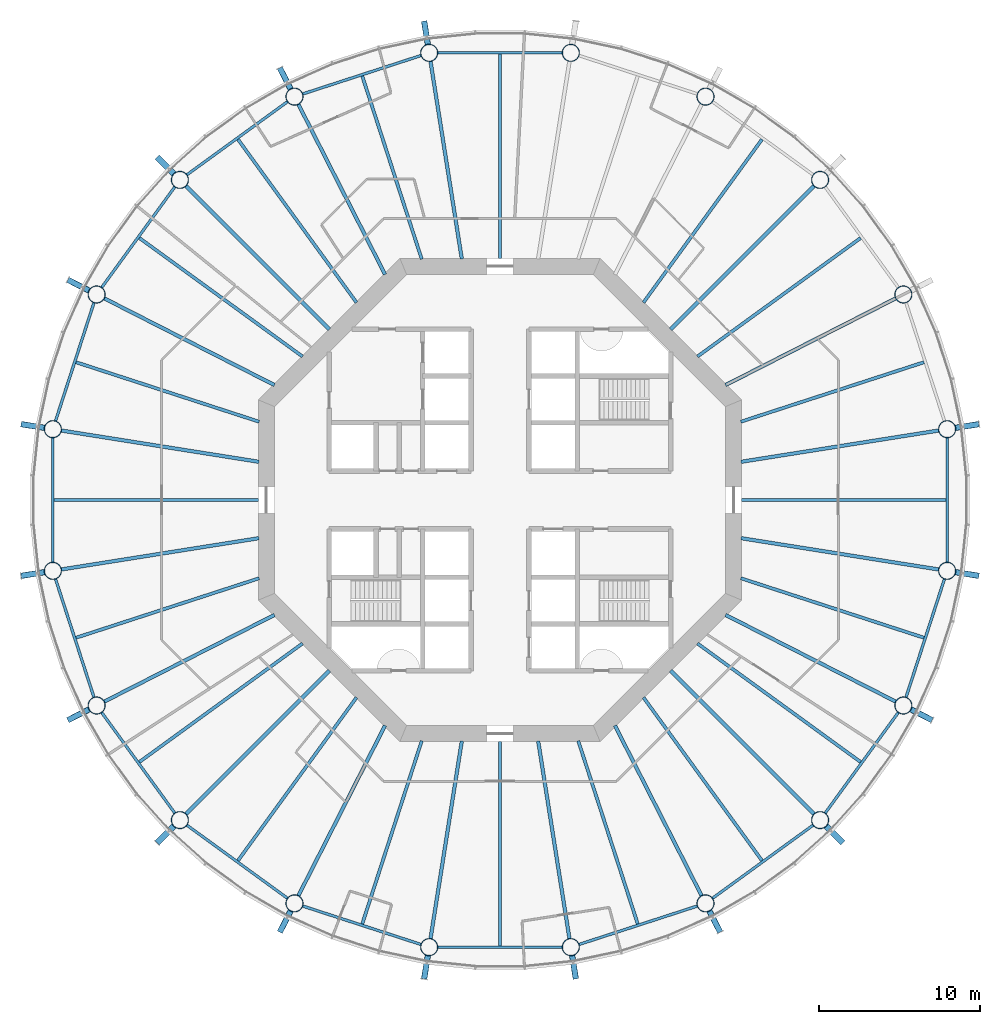
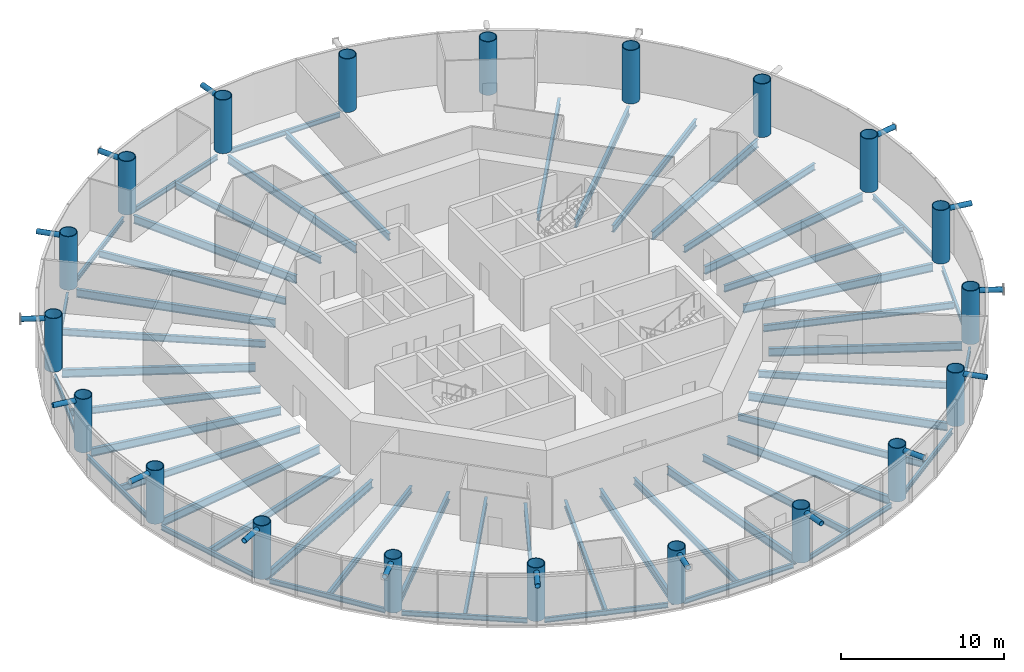
# One storey, part 1 of 17: 53 beams, 20 columns, 16 members.
"""IFC4 building model written with IfcOpenShell, lengths in metres."""

from ifc_helpers import new_model, si_unit, direction, frame, origin, origin_2d, place, context, subcontext, project, spatial, circle, hollow_circle, i_section, extrude, material, material_profile, profile_set, type_object, element, save


model = new_model("IFC4")

# Units and contexts
model_context = context("Model", 3, precision=1e-05, world=origin(), true_north=direction((0.0, 1.0)))
body_context = subcontext(model_context, "Body", "Model", "MODEL_VIEW")
ifc_project = project(units=[si_unit("LENGTHUNIT", "METRE"), si_unit("AREAUNIT", "SQUARE_METRE"), si_unit("VOLUMEUNIT", "CUBIC_METRE"), si_unit("PLANEANGLEUNIT", "RADIAN"), si_unit("MASSUNIT", "GRAM", prefix="KILO")], contexts=[model_context])

# Site, building, storey
site_placement = place(None, origin())
site = spatial("IfcSite", under=ifc_project, at=site_placement, CompositionType="ELEMENT")
building_placement = place(site_placement, origin())
building = spatial("IfcBuilding", under=site, at=building_placement, Name="Entoto Ring Tower", CompositionType="ELEMENT")
storey_placement = place(building_placement, frame((0.0, 0.0, 160.0)))
storey = spatial("IfcBuildingStorey", under=building, at=storey_placement, Name="L36", CompositionType="ELEMENT", Elevation=160.0)

# Columns
ifc_material_1 = material(Name="Steel S355", Category="steel")
ifc_material_profile_1 = material_profile(ifc_material_1, hollow_circle(Radius=0.550048828125, WallThickness=0.050048828125, at=origin_2d()), Name="CHS 1100 x 50")
ifc_material_2 = material(Name="Concrete C60/75", Category="concrete")
ifc_material_profile_2 = material_profile(ifc_material_2, circle(Radius=0.5, at=origin_2d()), Name="Concrete C60/75 infill")
ifc_profile_set_1 = profile_set([ifc_material_profile_1, ifc_material_profile_2], Name="Steel S355")
column_type = type_object("IfcColumnType", Name="Ring column 1100 x 50 concrete-filled tube", PredefinedType="COLUMN", material=ifc_profile_set_1)
for number, where, z_axis, x_axis, name in (
    (1, (117.754150390625, 84.395751953125, 0.0), (0.0, 0.0, 1.0), (1.0, 0.0, 0.0), "RC3 R01"),
    (2, (115.037353515625, 92.757080078125, 0.0), (0.0, 0.0, 1.0), (1.0, 0.0, 0.0), "RC3 R02"),
    (3, (109.86962890625, 99.86962890625, 0.0), (0.0, 0.0, 1.0), (1.0, 0.0, 0.0), "RC3 R03"),
    (4, (102.757080078125, 105.037353515625, 0.0), (0.0, 0.0, 1.0), (1.0, 0.0, 0.0), "RC3 R04"),
    (5, (94.395751953125, 107.754150390625, 0.0), (0.0, 0.0, 1.0), (1.0, 0.0, 0.0), "RC3 R05"),
    (6, (85.604248046875, 107.754150390625, 0.0), (0.0, 0.0, 1.0), (1.0, 0.0, 0.0), "RC3 R06"),
    (7, (77.242919921875, 105.037353515625, 0.0), (0.0, 0.0, 1.0), (1.0, 0.0, 0.0), "RC3 R07"),
    (8, (70.13037109375, 99.86962890625, 0.0), (0.0, 0.0, 1.0), (1.0, 0.0, 0.0), "RC3 R08"),
    (9, (64.962646484375, 92.757080078125, 0.0), (0.0, 0.0, 1.0), (1.0, 0.0, 0.0), "RC3 R09"),
    (10, (62.245849609375, 84.395751953125, 0.0), (0.0, 0.0, 1.0), (1.0, 0.0, 0.0), "RC3 R10"),
    (11, (62.245849609375, 75.604248046875, 0.0), (0.0, 0.0, 1.0), (1.0, 0.0, 0.0), "RC3 R11"),
    (12, (64.962646484375, 67.242919921875, 0.0), (0.0, 0.0, 1.0), (1.0, 0.0, 0.0), "RC3 R12"),
    (13, (70.13037109375, 60.13037109375, 0.0), (0.0, 0.0, 1.0), (1.0, 0.0, 0.0), "RC3 R13"),
    (14, (77.242919921875, 54.962646484375, 0.0), (0.0, 0.0, 1.0), (1.0, 0.0, 0.0), "RC3 R14"),
    (15, (85.604248046875, 52.245849609375, 0.0), (0.0, 0.0, 1.0), (1.0, 0.0, 0.0), "RC3 R15"),
    (16, (94.395751953125, 52.245849609375, 0.0), (0.0, 0.0, 1.0), (1.0, 0.0, 0.0), "RC3 R16"),
    (17, (102.757080078125, 54.962646484375, 0.0), (0.0, 0.0, 1.0), (1.0, 0.0, 0.0), "RC3 R17"),
    (18, (109.86962890625, 60.13037109375, 0.0), (0.0, 0.0, 1.0), (1.0, 0.0, 0.0), "RC3 R18"),
    (19, (115.037353515625, 67.242919921875, 0.0), (0.0, 0.0, 1.0), (1.0, 0.0, 0.0), "RC3 R19"),
    (20, (117.754150390625, 75.604248046875, 0.0), (0.0, 0.0, 1.0), (1.0, 0.0, 0.0), "RC3 R20"),
):
    element("IfcColumn", number, at=place(storey_placement, frame(where, z_axis=z_axis, x_axis=x_axis)), inside=storey, type_object=column_type, Name=name, PredefinedType="COLUMN", context=body_context, shape_type="SweptSolid", body=[
        extrude(hollow_circle(Radius=0.550048828125, WallThickness=0.050048828125, at=origin_2d()), origin(), (0.0, 0.0, 1.0), 4.0),
    ])

# Members
ifc_material_3 = material(Name="Steel S355", Category="steel")
ifc_material_profile_3 = material_profile(ifc_material_3, hollow_circle(Radius=0.177734375, WallThickness=0.01611328125, at=origin_2d()), Name="CHS 355.6 x 16")
ifc_material_4 = material(Name="Concrete C60/75", Category="concrete")
ifc_material_profile_4 = material_profile(ifc_material_4, circle(Radius=0.161865234375, at=origin_2d()), Name="Concrete C60/75 infill")
ifc_profile_set_2 = profile_set([ifc_material_profile_3, ifc_material_profile_4], Name="Steel S355")
member_type = type_object("IfcMemberType", Name="Diagrid node strut 355.6 x 16", PredefinedType="STRUT", material=ifc_profile_set_2)
member_placement = place(storey_placement, frame((85.52587890625, 108.248291015625, 3.672119140625), z_axis=(-0.15644742422, 0.987686287976, 0.0), x_axis=(-0.987686287976, -0.15644742422, 0.0)))
element("IfcMember", 21, at=member_placement, inside=storey, type_object=member_type, Name="DS1 strut ring 11 05", PredefinedType="STRUT", context=body_context, shape_type="SweptSolid", body=[
    extrude(hollow_circle(Radius=0.177734375, WallThickness=0.01611328125, at=origin_2d()), origin(), (0.0, 0.0, 1.0), 1.499755859375),
])
for number, where, z_axis, x_axis, name in (
    (22, (77.015625, 105.483154296875, 3.672119140625), (-0.453908709044, 0.891048193901, 0.0), (-0.891048193901, -0.453908709044, 0.0), "DS1 strut ring 11 06"),
    (23, (69.7763671875, 100.2236328125, 3.672119140625), (-0.707106781187, 0.707106781187, 0.0), (-0.707106781187, -0.707106781187, 0.0), "DS1 strut ring 11 07"),
    (24, (64.516845703125, 92.984375, 3.672119140625), (-0.891048193901, 0.453908709044, 0.0), (-0.453908709044, -0.891048193901, 0.0), "DS1 strut ring 11 08"),
):
    element("IfcMember", number, at=place(storey_placement, frame(where, z_axis=z_axis, x_axis=x_axis)), inside=storey, type_object=member_type, Name=name, PredefinedType="STRUT", context=body_context, shape_type="SweptSolid", body=[
        extrude(hollow_circle(Radius=0.177734375, WallThickness=0.01611328125, at=origin_2d()), origin(), (0.0, 0.0, 1.0), 1.49951171875),
    ])
for number, where, z_axis, x_axis, name in (
    (25, (61.751708984375, 84.47412109375, 3.672119140625), (-0.987686287976, 0.15644742422, 0.0), (-0.15644742422, -0.987686287976, 0.0), "DS1 strut ring 11 09"),
    (26, (61.751708984375, 75.52587890625, 3.672119140625), (-0.987686287976, -0.15644742422, 0.0), (0.15644742422, -0.987686287976, 0.0), "DS1 strut ring 11 10"),
):
    element("IfcMember", number, at=place(storey_placement, frame(where, z_axis=z_axis, x_axis=x_axis)), inside=storey, type_object=member_type, Name=name, PredefinedType="STRUT", context=body_context, shape_type="SweptSolid", body=[
        extrude(hollow_circle(Radius=0.177734375, WallThickness=0.01611328125, at=origin_2d()), origin(), (0.0, 0.0, 1.0), 1.499755859375),
    ])
for number, where, z_axis, x_axis, name in (
    (27, (64.516845703125, 67.015625, 3.672119140625), (-0.891048193901, -0.453908709044, 0.0), (0.453908709044, -0.891048193901, 0.0), "DS1 strut ring 11 11"),
    (28, (69.7763671875, 59.7763671875, 3.672119140625), (-0.707106781187, -0.707106781187, 0.0), (0.707106781187, -0.707106781187, 0.0), "DS1 strut ring 11 12"),
    (29, (77.015625, 54.516845703125, 3.672119140625), (-0.453908709044, -0.891048193901, 0.0), (0.891048193901, -0.453908709044, 0.0), "DS1 strut ring 11 13"),
):
    element("IfcMember", number, at=place(storey_placement, frame(where, z_axis=z_axis, x_axis=x_axis)), inside=storey, type_object=member_type, Name=name, PredefinedType="STRUT", context=body_context, shape_type="SweptSolid", body=[
        extrude(hollow_circle(Radius=0.177734375, WallThickness=0.01611328125, at=origin_2d()), origin(), (0.0, 0.0, 1.0), 1.49951171875),
    ])
for number, where, z_axis, x_axis, name in (
    (30, (85.52587890625, 51.751708984375, 3.672119140625), (-0.15644742422, -0.987686287976, 0.0), (0.987686287976, -0.15644742422, 0.0), "DS1 strut ring 11 14"),
    (31, (94.47412109375, 51.751708984375, 3.672119140625), (0.15644742422, -0.987686287976, 0.0), (0.987686287976, 0.15644742422, 0.0), "DS1 strut ring 11 15"),
):
    element("IfcMember", number, at=place(storey_placement, frame(where, z_axis=z_axis, x_axis=x_axis)), inside=storey, type_object=member_type, Name=name, PredefinedType="STRUT", context=body_context, shape_type="SweptSolid", body=[
        extrude(hollow_circle(Radius=0.177734375, WallThickness=0.01611328125, at=origin_2d()), origin(), (0.0, 0.0, 1.0), 1.499755859375),
    ])
for number, where, z_axis, x_axis, name in (
    (32, (102.984375, 54.516845703125, 3.672119140625), (0.453908709044, -0.891048193901, 0.0), (0.891048193901, 0.453908709044, 0.0), "DS1 strut ring 11 16"),
    (33, (110.2236328125, 59.7763671875, 3.672119140625), (0.707106781187, -0.707106781187, 0.0), (0.707106781187, 0.707106781187, 0.0), "DS1 strut ring 11 17"),
    (34, (115.483154296875, 67.015625, 3.672119140625), (0.891048193901, -0.453908709044, 0.0), (0.453908709044, 0.891048193901, 0.0), "DS1 strut ring 11 18"),
):
    element("IfcMember", number, at=place(storey_placement, frame(where, z_axis=z_axis, x_axis=x_axis)), inside=storey, type_object=member_type, Name=name, PredefinedType="STRUT", context=body_context, shape_type="SweptSolid", body=[
        extrude(hollow_circle(Radius=0.177734375, WallThickness=0.01611328125, at=origin_2d()), origin(), (0.0, 0.0, 1.0), 1.49951171875),
    ])
for number, where, z_axis, x_axis, name in (
    (35, (118.248291015625, 75.52587890625, 3.672119140625), (0.987686287976, -0.15644742422, 0.0), (0.15644742422, 0.987686287976, 0.0), "DS1 strut ring 11 19"),
    (36, (118.248291015625, 84.47412109375, 3.672119140625), (0.987686287976, 0.15644742422, 0.0), (-0.15644742422, 0.987686287976, 0.0), "DS1 strut ring 11 20"),
):
    element("IfcMember", number, at=place(storey_placement, frame(where, z_axis=z_axis, x_axis=x_axis)), inside=storey, type_object=member_type, Name=name, PredefinedType="STRUT", context=body_context, shape_type="SweptSolid", body=[
        extrude(hollow_circle(Radius=0.177734375, WallThickness=0.01611328125, at=origin_2d()), origin(), (0.0, 0.0, 1.0), 1.499755859375),
    ])

# Beams
ifc_material_5 = material(Name="Steel S355", Category="steel")
ifc_material_profile_5 = material_profile(ifc_material_5, i_section(OverallWidth=0.169921875, OverallDepth=0.360107421875, WebThickness=0.008056640625, FlangeThickness=0.0126953125, FilletRadius=0.01806640625, at=origin_2d()), Name="IPE 360")
ifc_profile_set_3 = profile_set([ifc_material_profile_5], Name="Steel S355")
beam_type_1 = type_object("IfcBeamType", Name="Edge beam IPE 360", PredefinedType="SPANDREL", material=ifc_profile_set_3)
for number, where, z_axis, x_axis, name in (
    (37, (93.87255859375, 107.754150390625, -0.330078125), (-1.0, 0.0, 0.0), (0.0, -1.0, 0.0), "Edge beam L36 05"),
    (38, (85.1064453125, 107.59228515625, -0.330078125), (-0.951057925874, -0.309012656105, 0.0), (0.309012656105, -0.951057925874, 0.0), "Edge beam L36 06"),
    (39, (76.819580078125, 104.729736328125, -0.330078125), (-0.809012707043, -0.587791153253, 0.0), (0.587791153253, -0.809012707043, 0.0), "Edge beam L36 07"),
    (40, (69.82275390625, 99.4462890625, -0.330078125), (-0.587791153253, -0.809012707043, 0.0), (0.809012707043, -0.587791153253, 0.0), "Edge beam L36 08"),
    (41, (64.801025390625, 92.259521484375, -0.330078125), (-0.309012656105, -0.951057925874, 0.0), (0.951057925874, -0.309012656105, 0.0), "Edge beam L36 09"),
    (42, (62.245849609375, 83.87255859375, -0.330078125), (0.0, -1.0, 0.0), (1.0, 0.0, 0.0), "Edge beam L36 10"),
    (43, (62.40771484375, 75.1064453125, -0.330078125), (0.309012656105, -0.951057925874, 0.0), (0.951057925874, 0.309012656105, 0.0), "Edge beam L36 11"),
    (44, (65.270263671875, 66.819580078125, -0.330078125), (0.587791153253, -0.809012707043, 0.0), (0.809012707043, 0.587791153253, 0.0), "Edge beam L36 12"),
    (45, (70.5537109375, 59.82275390625, -0.330078125), (0.809012707043, -0.587791153253, 0.0), (0.587791153253, 0.809012707043, 0.0), "Edge beam L36 13"),
    (46, (77.740478515625, 54.801025390625, -0.330078125), (0.951057925874, -0.309012656105, 0.0), (0.309012656105, 0.951057925874, 0.0), "Edge beam L36 14"),
    (47, (86.12744140625, 52.245849609375, -0.330078125), (1.0, 0.0, 0.0), (0.0, 1.0, 0.0), "Edge beam L36 15"),
    (48, (94.8935546875, 52.40771484375, -0.330078125), (0.951057925874, 0.309012656105, 0.0), (-0.309012656105, 0.951057925874, 0.0), "Edge beam L36 16"),
    (49, (103.180419921875, 55.270263671875, -0.330078125), (0.809012707043, 0.587791153253, 0.0), (-0.587791153253, 0.809012707043, 0.0), "Edge beam L36 17"),
    (50, (110.17724609375, 60.5537109375, -0.330078125), (0.587791153253, 0.809012707043, 0.0), (-0.809012707043, 0.587791153253, 0.0), "Edge beam L36 18"),
    (51, (115.198974609375, 67.740478515625, -0.330078125), (0.309012656105, 0.951057925874, 0.0), (-0.951057925874, 0.309012656105, 0.0), "Edge beam L36 19"),
    (52, (117.754150390625, 76.12744140625, -0.330078125), (0.0, 1.0, 0.0), (-1.0, 0.0, 0.0), "Edge beam L36 20"),
):
    element("IfcBeam", number, at=place(storey_placement, frame(where, z_axis=z_axis, x_axis=x_axis)), inside=storey, type_object=beam_type_1, Name=name, PredefinedType="SPANDREL", context=body_context, shape_type="SweptSolid", body=[
        extrude(i_section(OverallWidth=0.169921875, OverallDepth=0.360107421875, WebThickness=0.008056640625, FlangeThickness=0.0126953125, FilletRadius=0.01806640625, at=origin_2d()), origin(), (0.0, 0.0, 1.0), 7.7451171875),
    ])
ifc_material_6 = material(Name="Steel S355", Category="steel")
ifc_material_profile_6 = material_profile(ifc_material_6, i_section(OverallWidth=0.219970703125, OverallDepth=0.60009765625, WebThickness=0.011962890625, FlangeThickness=0.01904296875, FilletRadius=0.02392578125, at=origin_2d()), Name="IPE 600")
ifc_profile_set_4 = profile_set([ifc_material_profile_6], Name="Steel S355")
beam_type_2 = type_object("IfcBeamType", Name="Primary floor beam IPE 600", PredefinedType="BEAM", material=ifc_profile_set_4)
beam_1_placement = place(storey_placement, frame((104.963134765625, 82.369873046875, -0.449951171875), z_axis=(0.987687213789, 0.156441579247, 0.0), x_axis=(-0.156441579247, 0.987687213789, 0.0)))
element("IfcBeam", 53, at=beam_1_placement, inside=storey, type_object=beam_type_2, Name="Primary L36 R01", PredefinedType="BEAM", context=body_context, shape_type="SweptSolid", body=[
    extrude(i_section(OverallWidth=0.219970703125, OverallDepth=0.60009765625, WebThickness=0.011962890625, FlangeThickness=0.01904296875, FilletRadius=0.02392578125, at=origin_2d()), origin(), (0.0, 0.0, 1.0), 12.431640625),
])
beam_2_placement = place(storey_placement, frame((104.003173828125, 87.135009765625, -0.449951171875), z_axis=(0.891010444609, 0.453982805399, 0.0), x_axis=(-0.453982805399, 0.891010444609, 0.0)))
element("IfcBeam", 54, at=beam_2_placement, inside=storey, type_object=beam_type_2, Name="Primary L36 R02", PredefinedType="BEAM", context=body_context, shape_type="SweptSolid", body=[
    extrude(i_section(OverallWidth=0.219970703125, OverallDepth=0.60009765625, WebThickness=0.011962890625, FlangeThickness=0.01904296875, FilletRadius=0.02392578125, at=origin_2d()), origin(), (0.0, 0.0, 1.0), 11.864990234375),
])
beam_3_placement = place(storey_placement, frame((100.592529296875, 90.592529296875, -0.449951171875), z_axis=(0.707106781187, 0.707106781187, 0.0), x_axis=(-0.707106781187, 0.707106781187, 0.0)))
element("IfcBeam", 55, at=beam_3_placement, inside=storey, type_object=beam_type_2, Name="Primary L36 R03", PredefinedType="BEAM", context=body_context, shape_type="SweptSolid", body=[
    extrude(i_section(OverallWidth=0.219970703125, OverallDepth=0.60009765625, WebThickness=0.011962890625, FlangeThickness=0.01904296875, FilletRadius=0.02392578125, at=origin_2d()), origin(), (0.0, 0.0, 1.0), 12.601318359375),
])
beam_4_placement = place(storey_placement, frame((87.630126953125, 94.963134765625, -0.449951171875), z_axis=(-0.156441579247, 0.987687213789, 0.0), x_axis=(-0.987687213789, -0.156441579247, 0.0)))
element("IfcBeam", 56, at=beam_4_placement, inside=storey, type_object=beam_type_2, Name="Primary L36 R06", PredefinedType="BEAM", context=body_context, shape_type="SweptSolid", body=[
    extrude(i_section(OverallWidth=0.219970703125, OverallDepth=0.60009765625, WebThickness=0.011962890625, FlangeThickness=0.01904296875, FilletRadius=0.02392578125, at=origin_2d()), origin(), (0.0, 0.0, 1.0), 12.431640625),
])
beam_5_placement = place(storey_placement, frame((82.864990234375, 94.003173828125, -0.449951171875), z_axis=(-0.453982805399, 0.891010444609, 0.0), x_axis=(-0.891010444609, -0.453982805399, 0.0)))
element("IfcBeam", 57, at=beam_5_placement, inside=storey, type_object=beam_type_2, Name="Primary L36 R07", PredefinedType="BEAM", context=body_context, shape_type="SweptSolid", body=[
    extrude(i_section(OverallWidth=0.219970703125, OverallDepth=0.60009765625, WebThickness=0.011962890625, FlangeThickness=0.01904296875, FilletRadius=0.02392578125, at=origin_2d()), origin(), (0.0, 0.0, 1.0), 11.864990234375),
])
beam_6_placement = place(storey_placement, frame((79.407470703125, 90.592529296875, -0.449951171875), z_axis=(-0.707106781187, 0.707106781187, 0.0), x_axis=(-0.707106781187, -0.707106781187, 0.0)))
element("IfcBeam", 58, at=beam_6_placement, inside=storey, type_object=beam_type_2, Name="Primary L36 R08", PredefinedType="BEAM", context=body_context, shape_type="SweptSolid", body=[
    extrude(i_section(OverallWidth=0.219970703125, OverallDepth=0.60009765625, WebThickness=0.011962890625, FlangeThickness=0.01904296875, FilletRadius=0.02392578125, at=origin_2d()), origin(), (0.0, 0.0, 1.0), 12.601318359375),
])
beam_7_placement = place(storey_placement, frame((75.996826171875, 87.135009765625, -0.449951171875), z_axis=(-0.891010444609, 0.453982805399, 0.0), x_axis=(-0.453982805399, -0.891010444609, 0.0)))
element("IfcBeam", 59, at=beam_7_placement, inside=storey, type_object=beam_type_2, Name="Primary L36 R09", PredefinedType="BEAM", context=body_context, shape_type="SweptSolid", body=[
    extrude(i_section(OverallWidth=0.219970703125, OverallDepth=0.60009765625, WebThickness=0.011962890625, FlangeThickness=0.01904296875, FilletRadius=0.02392578125, at=origin_2d()), origin(), (0.0, 0.0, 1.0), 11.864990234375),
])
for number, where, z_axis, x_axis, name in (
    (60, (75.036865234375, 82.369873046875, -0.449951171875), (-0.987687213789, 0.156441579247, 0.0), (-0.156441579247, -0.987687213789, 0.0), "Primary L36 R10"),
    (61, (75.036865234375, 77.630126953125, -0.449951171875), (-0.987687213789, -0.156441579247, 0.0), (0.156441579247, -0.987687213789, 0.0), "Primary L36 R11"),
):
    element("IfcBeam", number, at=place(storey_placement, frame(where, z_axis=z_axis, x_axis=x_axis)), inside=storey, type_object=beam_type_2, Name=name, PredefinedType="BEAM", context=body_context, shape_type="SweptSolid", body=[
        extrude(i_section(OverallWidth=0.219970703125, OverallDepth=0.60009765625, WebThickness=0.011962890625, FlangeThickness=0.01904296875, FilletRadius=0.02392578125, at=origin_2d()), origin(), (0.0, 0.0, 1.0), 12.431640625),
    ])
beam_8_placement = place(storey_placement, frame((75.996826171875, 72.864990234375, -0.449951171875), z_axis=(-0.891010444609, -0.453982805399, 0.0), x_axis=(0.453982805399, -0.891010444609, 0.0)))
element("IfcBeam", 62, at=beam_8_placement, inside=storey, type_object=beam_type_2, Name="Primary L36 R12", PredefinedType="BEAM", context=body_context, shape_type="SweptSolid", body=[
    extrude(i_section(OverallWidth=0.219970703125, OverallDepth=0.60009765625, WebThickness=0.011962890625, FlangeThickness=0.01904296875, FilletRadius=0.02392578125, at=origin_2d()), origin(), (0.0, 0.0, 1.0), 11.864990234375),
])
beam_9_placement = place(storey_placement, frame((79.407470703125, 69.407470703125, -0.449951171875), z_axis=(-0.707106781187, -0.707106781187, 0.0), x_axis=(0.707106781187, -0.707106781187, 0.0)))
element("IfcBeam", 63, at=beam_9_placement, inside=storey, type_object=beam_type_2, Name="Primary L36 R13", PredefinedType="BEAM", context=body_context, shape_type="SweptSolid", body=[
    extrude(i_section(OverallWidth=0.219970703125, OverallDepth=0.60009765625, WebThickness=0.011962890625, FlangeThickness=0.01904296875, FilletRadius=0.02392578125, at=origin_2d()), origin(), (0.0, 0.0, 1.0), 12.601318359375),
])
beam_10_placement = place(storey_placement, frame((82.864990234375, 65.996826171875, -0.449951171875), z_axis=(-0.453982805399, -0.891010444609, 0.0), x_axis=(0.891010444609, -0.453982805399, 0.0)))
element("IfcBeam", 64, at=beam_10_placement, inside=storey, type_object=beam_type_2, Name="Primary L36 R14", PredefinedType="BEAM", context=body_context, shape_type="SweptSolid", body=[
    extrude(i_section(OverallWidth=0.219970703125, OverallDepth=0.60009765625, WebThickness=0.011962890625, FlangeThickness=0.01904296875, FilletRadius=0.02392578125, at=origin_2d()), origin(), (0.0, 0.0, 1.0), 11.864990234375),
])
for number, where, z_axis, x_axis, name in (
    (65, (87.630126953125, 65.036865234375, -0.449951171875), (-0.156441579247, -0.987687213789, 0.0), (0.987687213789, -0.156441579247, 0.0), "Primary L36 R15"),
    (66, (92.369873046875, 65.036865234375, -0.449951171875), (0.156441579247, -0.987687213789, 0.0), (0.987687213789, 0.156441579247, 0.0), "Primary L36 R16"),
):
    element("IfcBeam", number, at=place(storey_placement, frame(where, z_axis=z_axis, x_axis=x_axis)), inside=storey, type_object=beam_type_2, Name=name, PredefinedType="BEAM", context=body_context, shape_type="SweptSolid", body=[
        extrude(i_section(OverallWidth=0.219970703125, OverallDepth=0.60009765625, WebThickness=0.011962890625, FlangeThickness=0.01904296875, FilletRadius=0.02392578125, at=origin_2d()), origin(), (0.0, 0.0, 1.0), 12.431640625),
    ])
beam_11_placement = place(storey_placement, frame((97.135009765625, 65.996826171875, -0.449951171875), z_axis=(0.453982805399, -0.891010444609, 0.0), x_axis=(0.891010444609, 0.453982805399, 0.0)))
element("IfcBeam", 67, at=beam_11_placement, inside=storey, type_object=beam_type_2, Name="Primary L36 R17", PredefinedType="BEAM", context=body_context, shape_type="SweptSolid", body=[
    extrude(i_section(OverallWidth=0.219970703125, OverallDepth=0.60009765625, WebThickness=0.011962890625, FlangeThickness=0.01904296875, FilletRadius=0.02392578125, at=origin_2d()), origin(), (0.0, 0.0, 1.0), 11.864990234375),
])
beam_12_placement = place(storey_placement, frame((100.592529296875, 69.407470703125, -0.449951171875), z_axis=(0.707106781187, -0.707106781187, 0.0), x_axis=(0.707106781187, 0.707106781187, 0.0)))
element("IfcBeam", 68, at=beam_12_placement, inside=storey, type_object=beam_type_2, Name="Primary L36 R18", PredefinedType="BEAM", context=body_context, shape_type="SweptSolid", body=[
    extrude(i_section(OverallWidth=0.219970703125, OverallDepth=0.60009765625, WebThickness=0.011962890625, FlangeThickness=0.01904296875, FilletRadius=0.02392578125, at=origin_2d()), origin(), (0.0, 0.0, 1.0), 12.601318359375),
])
beam_13_placement = place(storey_placement, frame((104.003173828125, 72.864990234375, -0.449951171875), z_axis=(0.891010444609, -0.453982805399, 0.0), x_axis=(0.453982805399, 0.891010444609, 0.0)))
element("IfcBeam", 69, at=beam_13_placement, inside=storey, type_object=beam_type_2, Name="Primary L36 R19", PredefinedType="BEAM", context=body_context, shape_type="SweptSolid", body=[
    extrude(i_section(OverallWidth=0.219970703125, OverallDepth=0.60009765625, WebThickness=0.011962890625, FlangeThickness=0.01904296875, FilletRadius=0.02392578125, at=origin_2d()), origin(), (0.0, 0.0, 1.0), 11.864990234375),
])
beam_14_placement = place(storey_placement, frame((104.963134765625, 77.630126953125, -0.449951171875), z_axis=(0.987687213789, -0.156441579247, 0.0), x_axis=(0.156441579247, 0.987687213789, 0.0)))
element("IfcBeam", 70, at=beam_14_placement, inside=storey, type_object=beam_type_2, Name="Primary L36 R20", PredefinedType="BEAM", context=body_context, shape_type="SweptSolid", body=[
    extrude(i_section(OverallWidth=0.219970703125, OverallDepth=0.60009765625, WebThickness=0.011962890625, FlangeThickness=0.01904296875, FilletRadius=0.02392578125, at=origin_2d()), origin(), (0.0, 0.0, 1.0), 12.431640625),
])
ifc_material_7 = material(Name="Steel S355", Category="steel")
ifc_material_profile_7 = material_profile(ifc_material_7, i_section(OverallWidth=0.199951171875, OverallDepth=0.5, WebThickness=0.01025390625, FlangeThickness=0.01611328125, FilletRadius=0.02099609375, at=origin_2d()), Name="IPE 500")
ifc_profile_set_5 = profile_set([ifc_material_profile_7], Name="Steel S355")
beam_type_3 = type_object("IfcBeamType", Name="Secondary floor beam IPE 500", PredefinedType="JOIST", material=ifc_profile_set_5)
beam_15_placement = place(storey_placement, frame((104.9501953125, 84.857666015625, -0.39990234375), z_axis=(0.951056587506, 0.30901677521, 0.0), x_axis=(-0.30901677521, 0.951056587506, 0.0)))
element("IfcBeam", 71, at=beam_15_placement, inside=storey, type_object=beam_type_3, Name="Secondary beam L36 01", PredefinedType="JOIST", context=body_context, shape_type="SweptSolid", body=[
    extrude(i_section(OverallWidth=0.199951171875, OverallDepth=0.5, WebThickness=0.01025390625, FlangeThickness=0.01611328125, FilletRadius=0.02099609375, at=origin_2d()), origin(), (0.0, 0.0, 1.0), 11.94970703125),
])
for number, where, z_axis, x_axis, name in (
    (72, (102.257568359375, 88.905517578125, -0.39990234375), (0.80901431041, 0.587788946436, 0.0), (-0.587788946436, 0.80901431041, 0.0), "Secondary beam L36 02"),
    (73, (98.905517578125, 92.257568359375, -0.39990234375), (0.587788946436, 0.80901431041, 0.0), (-0.80901431041, 0.587788946436, 0.0), "Secondary beam L36 03"),
):
    element("IfcBeam", number, at=place(storey_placement, frame(where, z_axis=z_axis, x_axis=x_axis)), inside=storey, type_object=beam_type_3, Name=name, PredefinedType="JOIST", context=body_context, shape_type="SweptSolid", body=[
        extrude(i_section(OverallWidth=0.199951171875, OverallDepth=0.5, WebThickness=0.01025390625, FlangeThickness=0.01611328125, FilletRadius=0.02099609375, at=origin_2d()), origin(), (0.0, 0.0, 1.0), 12.51806640625),
    ])
beam_16_placement = place(storey_placement, frame((90.0, 94.97998046875, -0.39990234375), z_axis=(0.0, 1.0, 0.0), x_axis=(-1.0, 0.0, 0.0)))
element("IfcBeam", 74, at=beam_16_placement, inside=storey, type_object=beam_type_3, Name="Secondary beam L36 05", PredefinedType="JOIST", context=body_context, shape_type="SweptSolid", body=[
    extrude(i_section(OverallWidth=0.199951171875, OverallDepth=0.5, WebThickness=0.01025390625, FlangeThickness=0.01611328125, FilletRadius=0.02099609375, at=origin_2d()), origin(), (0.0, 0.0, 1.0), 12.68896484375),
])
beam_17_placement = place(storey_placement, frame((85.142333984375, 94.9501953125, -0.39990234375), z_axis=(-0.30901677521, 0.951056587506, 0.0), x_axis=(-0.951056587506, -0.30901677521, 0.0)))
element("IfcBeam", 75, at=beam_17_placement, inside=storey, type_object=beam_type_3, Name="Secondary beam L36 06", PredefinedType="JOIST", context=body_context, shape_type="SweptSolid", body=[
    extrude(i_section(OverallWidth=0.199951171875, OverallDepth=0.5, WebThickness=0.01025390625, FlangeThickness=0.01611328125, FilletRadius=0.02099609375, at=origin_2d()), origin(), (0.0, 0.0, 1.0), 11.94970703125),
])
for number, where, z_axis, x_axis, name in (
    (76, (81.094482421875, 92.257568359375, -0.39990234375), (-0.587788946436, 0.80901431041, 0.0), (-0.80901431041, -0.587788946436, 0.0), "Secondary beam L36 07"),
    (77, (77.742431640625, 88.905517578125, -0.39990234375), (-0.80901431041, 0.587788946436, 0.0), (-0.587788946436, -0.80901431041, 0.0), "Secondary beam L36 08"),
):
    element("IfcBeam", number, at=place(storey_placement, frame(where, z_axis=z_axis, x_axis=x_axis)), inside=storey, type_object=beam_type_3, Name=name, PredefinedType="JOIST", context=body_context, shape_type="SweptSolid", body=[
        extrude(i_section(OverallWidth=0.199951171875, OverallDepth=0.5, WebThickness=0.01025390625, FlangeThickness=0.01611328125, FilletRadius=0.02099609375, at=origin_2d()), origin(), (0.0, 0.0, 1.0), 12.51806640625),
    ])
beam_18_placement = place(storey_placement, frame((75.0498046875, 84.857666015625, -0.39990234375), z_axis=(-0.951056587506, 0.30901677521, 0.0), x_axis=(-0.30901677521, -0.951056587506, 0.0)))
element("IfcBeam", 78, at=beam_18_placement, inside=storey, type_object=beam_type_3, Name="Secondary beam L36 09", PredefinedType="JOIST", context=body_context, shape_type="SweptSolid", body=[
    extrude(i_section(OverallWidth=0.199951171875, OverallDepth=0.5, WebThickness=0.01025390625, FlangeThickness=0.01611328125, FilletRadius=0.02099609375, at=origin_2d()), origin(), (0.0, 0.0, 1.0), 11.94970703125),
])
beam_19_placement = place(storey_placement, frame((75.02001953125, 80.0, -0.39990234375), z_axis=(-1.0, 0.0, 0.0), x_axis=(0.0, -1.0, 0.0)))
element("IfcBeam", 79, at=beam_19_placement, inside=storey, type_object=beam_type_3, Name="Secondary beam L36 10", PredefinedType="JOIST", context=body_context, shape_type="SweptSolid", body=[
    extrude(i_section(OverallWidth=0.199951171875, OverallDepth=0.5, WebThickness=0.01025390625, FlangeThickness=0.01611328125, FilletRadius=0.02099609375, at=origin_2d()), origin(), (0.0, 0.0, 1.0), 12.68896484375),
])
beam_20_placement = place(storey_placement, frame((75.0498046875, 75.142333984375, -0.39990234375), z_axis=(-0.951056587506, -0.30901677521, 0.0), x_axis=(0.30901677521, -0.951056587506, 0.0)))
element("IfcBeam", 80, at=beam_20_placement, inside=storey, type_object=beam_type_3, Name="Secondary beam L36 11", PredefinedType="JOIST", context=body_context, shape_type="SweptSolid", body=[
    extrude(i_section(OverallWidth=0.199951171875, OverallDepth=0.5, WebThickness=0.01025390625, FlangeThickness=0.01611328125, FilletRadius=0.02099609375, at=origin_2d()), origin(), (0.0, 0.0, 1.0), 11.94970703125),
])
for number, where, z_axis, x_axis, name in (
    (81, (77.742431640625, 71.094482421875, -0.39990234375), (-0.80901431041, -0.587788946436, 0.0), (0.587788946436, -0.80901431041, 0.0), "Secondary beam L36 12"),
    (82, (81.094482421875, 67.742431640625, -0.39990234375), (-0.587788946436, -0.80901431041, 0.0), (0.80901431041, -0.587788946436, 0.0), "Secondary beam L36 13"),
):
    element("IfcBeam", number, at=place(storey_placement, frame(where, z_axis=z_axis, x_axis=x_axis)), inside=storey, type_object=beam_type_3, Name=name, PredefinedType="JOIST", context=body_context, shape_type="SweptSolid", body=[
        extrude(i_section(OverallWidth=0.199951171875, OverallDepth=0.5, WebThickness=0.01025390625, FlangeThickness=0.01611328125, FilletRadius=0.02099609375, at=origin_2d()), origin(), (0.0, 0.0, 1.0), 12.51806640625),
    ])
beam_21_placement = place(storey_placement, frame((85.142333984375, 65.0498046875, -0.39990234375), z_axis=(-0.30901677521, -0.951056587506, 0.0), x_axis=(0.951056587506, -0.30901677521, 0.0)))
element("IfcBeam", 83, at=beam_21_placement, inside=storey, type_object=beam_type_3, Name="Secondary beam L36 14", PredefinedType="JOIST", context=body_context, shape_type="SweptSolid", body=[
    extrude(i_section(OverallWidth=0.199951171875, OverallDepth=0.5, WebThickness=0.01025390625, FlangeThickness=0.01611328125, FilletRadius=0.02099609375, at=origin_2d()), origin(), (0.0, 0.0, 1.0), 11.94970703125),
])
beam_22_placement = place(storey_placement, frame((90.0, 65.02001953125, -0.39990234375), z_axis=(0.0, -1.0, 0.0), x_axis=(1.0, 0.0, 0.0)))
element("IfcBeam", 84, at=beam_22_placement, inside=storey, type_object=beam_type_3, Name="Secondary beam L36 15", PredefinedType="JOIST", context=body_context, shape_type="SweptSolid", body=[
    extrude(i_section(OverallWidth=0.199951171875, OverallDepth=0.5, WebThickness=0.01025390625, FlangeThickness=0.01611328125, FilletRadius=0.02099609375, at=origin_2d()), origin(), (0.0, 0.0, 1.0), 12.68896484375),
])
beam_23_placement = place(storey_placement, frame((94.857666015625, 65.0498046875, -0.39990234375), z_axis=(0.30901677521, -0.951056587506, 0.0), x_axis=(0.951056587506, 0.30901677521, 0.0)))
element("IfcBeam", 85, at=beam_23_placement, inside=storey, type_object=beam_type_3, Name="Secondary beam L36 16", PredefinedType="JOIST", context=body_context, shape_type="SweptSolid", body=[
    extrude(i_section(OverallWidth=0.199951171875, OverallDepth=0.5, WebThickness=0.01025390625, FlangeThickness=0.01611328125, FilletRadius=0.02099609375, at=origin_2d()), origin(), (0.0, 0.0, 1.0), 11.94970703125),
])
for number, where, z_axis, x_axis, name in (
    (86, (98.905517578125, 67.742431640625, -0.39990234375), (0.587788946436, -0.80901431041, 0.0), (0.80901431041, 0.587788946436, 0.0), "Secondary beam L36 17"),
    (87, (102.257568359375, 71.094482421875, -0.39990234375), (0.80901431041, -0.587788946436, 0.0), (0.587788946436, 0.80901431041, 0.0), "Secondary beam L36 18"),
):
    element("IfcBeam", number, at=place(storey_placement, frame(where, z_axis=z_axis, x_axis=x_axis)), inside=storey, type_object=beam_type_3, Name=name, PredefinedType="JOIST", context=body_context, shape_type="SweptSolid", body=[
        extrude(i_section(OverallWidth=0.199951171875, OverallDepth=0.5, WebThickness=0.01025390625, FlangeThickness=0.01611328125, FilletRadius=0.02099609375, at=origin_2d()), origin(), (0.0, 0.0, 1.0), 12.51806640625),
    ])
beam_24_placement = place(storey_placement, frame((104.9501953125, 75.142333984375, -0.39990234375), z_axis=(0.951056587506, -0.30901677521, 0.0), x_axis=(0.30901677521, 0.951056587506, 0.0)))
element("IfcBeam", 88, at=beam_24_placement, inside=storey, type_object=beam_type_3, Name="Secondary beam L36 19", PredefinedType="JOIST", context=body_context, shape_type="SweptSolid", body=[
    extrude(i_section(OverallWidth=0.199951171875, OverallDepth=0.5, WebThickness=0.01025390625, FlangeThickness=0.01611328125, FilletRadius=0.02099609375, at=origin_2d()), origin(), (0.0, 0.0, 1.0), 11.94970703125),
])
beam_25_placement = place(storey_placement, frame((104.97998046875, 80.0, -0.39990234375), z_axis=(1.0, 0.0, 0.0), x_axis=(0.0, 1.0, 0.0)))
element("IfcBeam", 89, at=beam_25_placement, inside=storey, type_object=beam_type_3, Name="Secondary beam L36 20", PredefinedType="JOIST", context=body_context, shape_type="SweptSolid", body=[
    extrude(i_section(OverallWidth=0.199951171875, OverallDepth=0.5, WebThickness=0.01025390625, FlangeThickness=0.01611328125, FilletRadius=0.02099609375, at=origin_2d()), origin(), (0.0, 0.0, 1.0), 12.68896484375),
])

save(model, "model.ifc")
